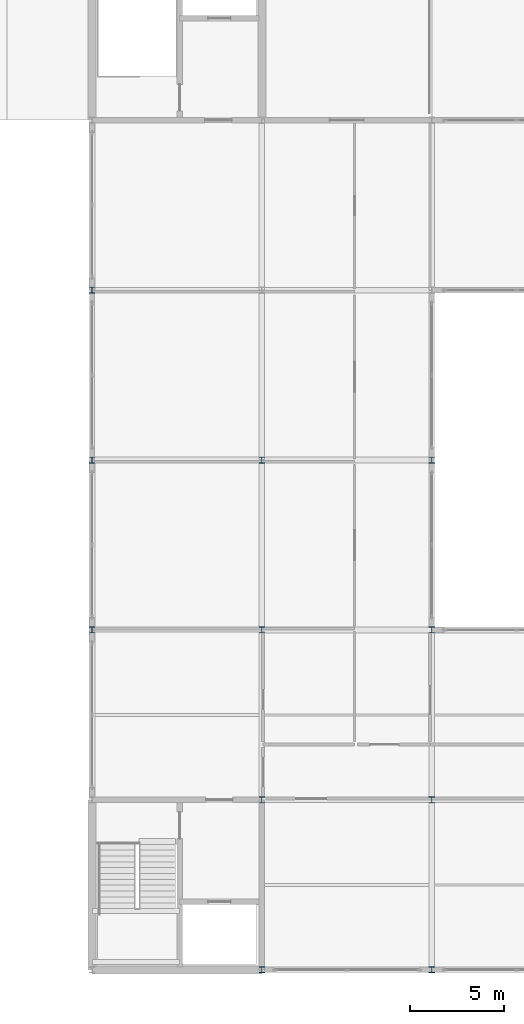
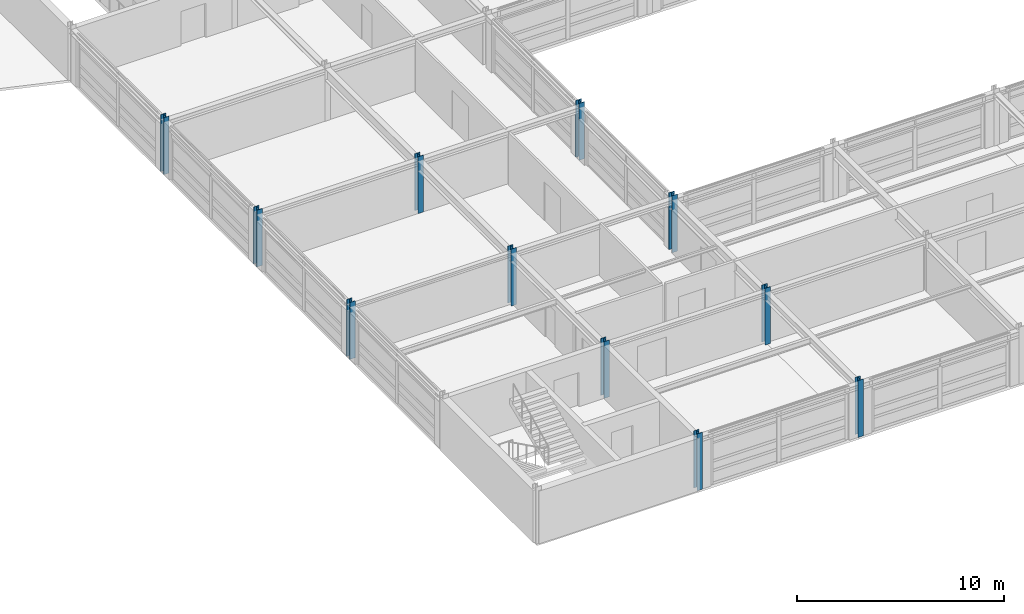
# One storey, part 5 of 91: 11 columns.
"""IFC4 building model written with IfcOpenShell, lengths in metres."""

from ifc_helpers import new_model, si_unit, direction, frame, origin, origin_2d, place, context, subcontext, project, spatial, i_section, extrude, material, material_profile, profile_set, type_object, element, save


model = new_model("IFC4")

# Units and contexts
model_context = context("Model", 3, precision=1e-05, world=origin(), true_north=direction((0.0, 1.0)))
body_context = subcontext(model_context, "Body", "Model", "MODEL_VIEW")
ifc_project = project(units=[si_unit("LENGTHUNIT", "METRE"), si_unit("AREAUNIT", "SQUARE_METRE"), si_unit("VOLUMEUNIT", "CUBIC_METRE"), si_unit("PLANEANGLEUNIT", "RADIAN"), si_unit("MASSUNIT", "GRAM", prefix="KILO")], contexts=[model_context])

# Site, building, storey
site_placement = place(None, origin())
site = spatial("IfcSite", under=ifc_project, at=site_placement, CompositionType="ELEMENT")
building_placement = place(site_placement, origin())
building = spatial("IfcBuilding", under=site, at=building_placement, Name="Palais des Congres Ocreval", CompositionType="ELEMENT")
storey_placement = place(building_placement, frame((0.0, 0.0, 8.159912109375)))
storey = spatial("IfcBuildingStorey", under=building, at=storey_placement, Name="L02", CompositionType="ELEMENT", Elevation=8.159912109375)

# Columns
ifc_material = material(Name="Steel S355", Category="steel")
ifc_material_profile = material_profile(ifc_material, i_section(OverallWidth=0.300048828125, OverallDepth=0.320068359375, WebThickness=0.011474609375, FlangeThickness=0.0205078125, at=origin_2d()), Name="HEB 320")
ifc_profile_set = profile_set([ifc_material_profile], Name="Steel S355")
column_type = type_object("IfcColumnType", Name="Column HEB 320 Steel S355", PredefinedType="COLUMN", material=ifc_profile_set)
for number, where, z_axis, x_axis, name in (
    (1, (108.0, 18.0, 0.0), (0.0, 0.0, 1.0), (1.0, 0.0, 0.0), "Column C12 L02"),
    (2, (108.0, 27.0, 0.0), (0.0, 0.0, 1.0), (1.0, 0.0, 0.0), "Column C12 L02"),
    (3, (108.0, 36.0, 0.0), (0.0, 0.0, 1.0), (1.0, 0.0, 0.0), "Column C12 L02"),
    (4, (117.0, 0.0, 0.0), (0.0, 0.0, 1.0), (1.0, 0.0, 0.0), "Column C12 L02"),
    (5, (117.0, 9.0, 0.0), (0.0, 0.0, 1.0), (1.0, 0.0, 0.0), "Column C12 L02"),
    (6, (117.0, 18.0, 0.0), (0.0, 0.0, 1.0), (1.0, 0.0, 0.0), "Column C12 L02"),
    (7, (117.0, 27.0, 0.0), (0.0, 0.0, 1.0), (1.0, 0.0, 0.0), "Column C12 L02"),
    (8, (126.0, 0.0, 0.0), (0.0, 0.0, 1.0), (1.0, 0.0, 0.0), "Column C12 L02"),
    (9, (126.0, 9.0, 0.0), (0.0, 0.0, 1.0), (1.0, 0.0, 0.0), "Column C12 L02"),
    (10, (126.0, 18.0, 0.0), (0.0, 0.0, 1.0), (1.0, 0.0, 0.0), "Column C12 L02"),
    (11, (126.0, 27.0, 0.0), (0.0, 0.0, 1.0), (1.0, 0.0, 0.0), "Column C12 L02"),
):
    element("IfcColumn", number, at=place(storey_placement, frame(where, z_axis=z_axis, x_axis=x_axis)), inside=storey, type_object=column_type, Name=name, PredefinedType="COLUMN", context=body_context, shape_type="SweptSolid", body=[
        extrude(i_section(OverallWidth=0.300048828125, OverallDepth=0.320068359375, WebThickness=0.011474609375, FlangeThickness=0.0205078125, at=origin_2d()), origin(), (0.0, 0.0, 1.0), 3.360107421875),
    ])

save(model, "model.ifc")
